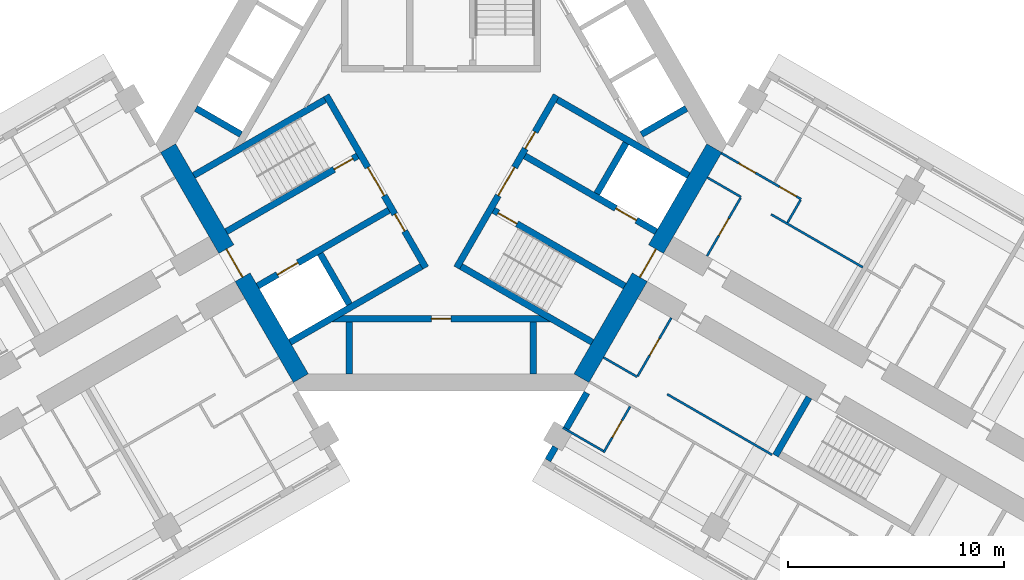
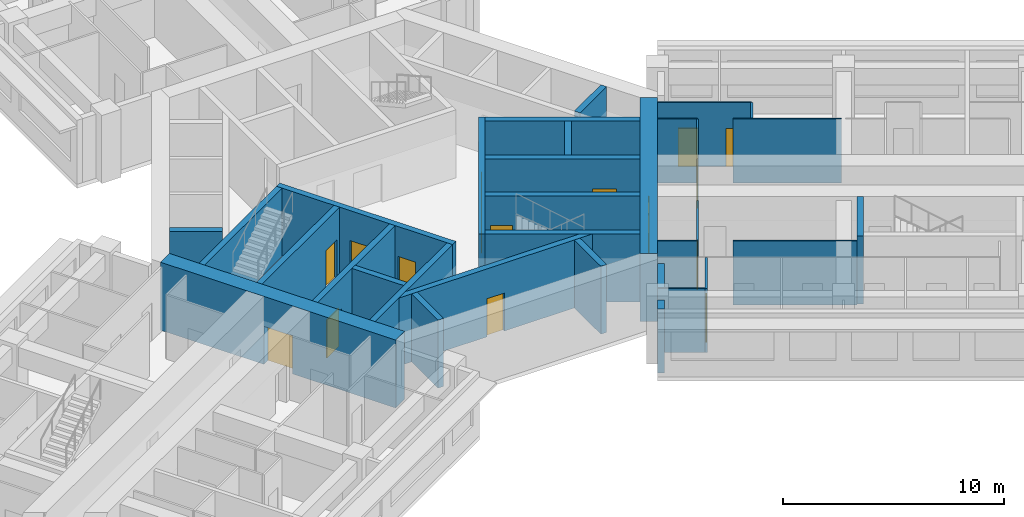
# One storey, part 7 of 15: 32 walls, 16 doors, 16 openings.
"""IFC4 building model written with IfcOpenShell, lengths in metres."""

import ifcopenshell
import ifcopenshell.guid

model = None  # the IFC model being written
_history = None  # IfcOwnerHistory: only IFC2X3 demands one
_inside = {}  # id of a spatial element -> (the spatial element, [elements in it])
_under = {}  # id of a project, library or spatial element -> (it, [spatial elements below it])
_declared = {}  # id of a project -> (the project, [libraries it declares])
_typed = {}  # id of a type object -> (the type object, [elements of that type])
_made_of = {}  # id of a material, layer set ... -> (it, [elements and type objects made of it])


def new_model(schema):
    """Start an empty IFC model of exactly this schema.

    Asked for "IFC4X3", IfcOpenShell would pick the latest addendum, in which some entities
    have other attributes; the version numbers below select the first issue.
    IFC2X3 requires an IfcOwnerHistory on every rooted entity: one is made here for all.
    """
    global model, _history
    if schema == "IFC4X3":
        model = ifcopenshell.file(schema_version=(4, 3, 0, 0))
    else:
        model = ifcopenshell.file(schema=schema)
    _inside.clear()
    _under.clear()
    _declared.clear()
    _typed.clear()
    _made_of.clear()
    _history = None
    if model.schema == "IFC2X3":
        org = make("IfcOrganization", Name="unknown")
        user = make(
            "IfcPersonAndOrganization",
            ThePerson=make("IfcPerson", FamilyName="unknown"),
            TheOrganization=org,
        )
        app = make(
            "IfcApplication",
            ApplicationDeveloper=org,
            Version="unknown",
            ApplicationFullName="unknown",
            ApplicationIdentifier="unknown",
        )
        _history = make(
            "IfcOwnerHistory",
            OwningUser=user,
            OwningApplication=app,
            ChangeAction="ADDED",
            CreationDate=0,
        )
    return model


def make(cls, **values):
    """One entity of the class cls with the attributes given. An attribute that is None is left unset."""
    return model.create_entity(
        cls, **{name: value for name, value in values.items() if value is not None}
    )


def rooted(cls, **values):
    """An entity with a GlobalId (a new one), such as an element, a storey or a relation."""
    return make(cls, GlobalId=ifcopenshell.guid.new(), OwnerHistory=_history, **values)


def si_unit(unit_type, name, prefix=None):
    """IfcSIUnit, for example si_unit("LENGTHUNIT", "METRE", prefix="MILLI")."""
    return make("IfcSIUnit", UnitType=unit_type, Prefix=prefix, Name=name)


def assignment(units):
    """IfcUnitAssignment: the units of a project."""
    return None if units is None else make("IfcUnitAssignment", Units=units)


def point(xyz):
    """IfcCartesianPoint."""
    return None if xyz is None else make("IfcCartesianPoint", Coordinates=xyz)


def direction(xyz):
    """IfcDirection."""
    return None if xyz is None else make("IfcDirection", DirectionRatios=xyz)


def frame(location, z_axis=None, x_axis=None):
    """IfcAxis2Placement3D, a coordinate frame: its origin and axes. An axis left out is left unset."""
    return make(
        "IfcAxis2Placement3D",
        Location=point(location),
        Axis=direction(z_axis),
        RefDirection=direction(x_axis),
    )


def frame_2d(location, x_axis=None):
    """IfcAxis2Placement2D, a coordinate frame in the plane: its origin and x axis."""
    return make(
        "IfcAxis2Placement2D", Location=point(location), RefDirection=direction(x_axis)
    )


def origin():
    """The frame at (0, 0, 0) with its axes left unset."""
    return frame((0.0, 0.0, 0.0))


def place(relative_to, where):
    """IfcLocalPlacement: puts the frame where relative to a parent placement (None: the world)."""
    return make(
        "IfcLocalPlacement", PlacementRelTo=relative_to, RelativePlacement=where
    )


def context(
    kind, dimensions, precision=None, world=None, true_north=None, identifier=None
):
    """IfcGeometricRepresentationContext, for example the 3D "Model" context."""
    return make(
        "IfcGeometricRepresentationContext",
        ContextIdentifier=identifier,
        ContextType=kind,
        CoordinateSpaceDimension=dimensions,
        Precision=precision,
        WorldCoordinateSystem=world,
        TrueNorth=true_north,
    )


def subcontext(parent, identifier, kind, view, scale=None):
    """IfcGeometricRepresentationSubContext, for example "Body" below "Model"."""
    return make(
        "IfcGeometricRepresentationSubContext",
        ContextIdentifier=identifier,
        ContextType=kind,
        ParentContext=parent,
        TargetScale=scale,
        TargetView=view,
    )


def project(units=None, contexts=None):
    """IfcProject with its units and contexts."""
    return rooted(
        "IfcProject",
        Name="project",
        RepresentationContexts=contexts,
        UnitsInContext=assignment(units),
    )


def spatial(cls, under=None, at=None, **own):
    """A site, building, storey or space (cls), placed at a placement, below another one or the project."""
    s = rooted(cls, ObjectPlacement=at, **own)
    if under is not None:
        _under.setdefault(under.id(), (under, []))[1].append(s)
    return s


def profile(cls, at=None, kind="AREA", **sizes):
    """A parametric profile (cls). Its sizes go by their IFC names, for example OverallWidth=200.0."""
    return make(cls, ProfileType=kind, Position=at, **sizes)


def rectangle(**sizes):
    """IfcRectangleProfileDef."""
    return profile("IfcRectangleProfileDef", **sizes)


def extrude(swept, where, along, depth):
    """IfcExtrudedAreaSolid: the profile swept, set in the frame where, extruded along a direction by depth."""
    return make(
        "IfcExtrudedAreaSolid",
        SweptArea=swept,
        Position=where,
        ExtrudedDirection=direction(along),
        Depth=depth,
    )


def shape(context_of_items, identifier, shape_type, items):
    """IfcShapeRepresentation: the items that make up one representation, for example the "Body"."""
    return make(
        "IfcShapeRepresentation",
        ContextOfItems=context_of_items,
        RepresentationIdentifier=identifier,
        RepresentationType=shape_type,
        Items=items,
    )


def material(Name=None, Category=None):
    """IfcMaterial."""
    return make("IfcMaterial", Name=Name, Category=Category)


def layer(
    of_material, thickness, ventilated=None, Name=None, Category=None, Priority=None
):
    """IfcMaterialLayer: one layer of a wall or slab, of a material (None: an air gap)."""
    return make(
        "IfcMaterialLayer",
        Material=of_material,
        LayerThickness=thickness,
        IsVentilated=ventilated,
        Name=Name,
        Category=Category,
        Priority=Priority,
    )


def layer_set(layers, Name=None):
    """IfcMaterialLayerSet."""
    return make("IfcMaterialLayerSet", MaterialLayers=layers, LayerSetName=Name)


def made_of(thing, what):
    """Note that an element or type object is made of a material, layer set ...; save() writes the relation."""
    if what is not None:
        _made_of.setdefault(what.id(), (what, []))[1].append(thing)
    return thing


def type_object(cls, material=None, **own):
    """A type object (cls), such as IfcWallType, which elements share."""
    return made_of(rooted(cls, **own), material)


def element(
    cls,
    number,
    at=None,
    inside=None,
    cuts=None,
    type_object=None,
    material=None,
    context=None,
    identifier="Body",
    shape_type=None,
    held_by="IfcProductDefinitionShape",
    body=None,
    shapes=None,
    **own,
):
    """One element of the class cls, such as IfcWall. Its Tag is "e" and its number.

    at: its placement. inside: the storey or other place that contains it. cuts: it is an
    opening in that element (IfcRelVoidsElement). A single representation is given by context,
    identifier, shape_type and body (its items); several are given by shapes. held_by: the class
    of the entity that holds the representations. save() writes the other relations.
    """
    e = rooted(cls, Tag="e%d" % number, ObjectPlacement=at, **own)
    if body is not None:
        shapes = [shape(context, identifier, shape_type, body)]
    if shapes is not None:
        e.Representation = make(held_by, Representations=shapes)
    if inside is not None:
        _inside.setdefault(inside.id(), (inside, []))[1].append(e)
    if cuts is not None:
        rooted(
            "IfcRelVoidsElement", RelatingBuildingElement=cuts, RelatedOpeningElement=e
        )
    if type_object is not None:
        _typed.setdefault(type_object.id(), (type_object, []))[1].append(e)
    return made_of(e, material)


def fill(opening, filler):
    """IfcRelFillsElement: the door or window that sits in an opening."""
    return rooted(
        "IfcRelFillsElement",
        RelatingOpeningElement=opening,
        RelatedBuildingElement=filler,
    )


def aggregate(whole, parts):
    """IfcRelAggregates: a whole, such as a stair, and the parts it consists of."""
    return rooted("IfcRelAggregates", RelatingObject=whole, RelatedObjects=parts)


def save(model, path):
    """Write the relations noted so far, then the file.

    IfcRelAggregates (storeys below a building ...), IfcRelContainedInSpatialStructure (elements
    in a storey), IfcRelDefinesByType, IfcRelAssociatesMaterial and IfcRelDeclares: one each for
    every whole, place, type object, material and project.
    """
    for whole, parts in _under.values():
        aggregate(whole, parts)
    for where, things in _inside.values():
        rooted(
            "IfcRelContainedInSpatialStructure",
            RelatedElements=things,
            RelatingStructure=where,
        )
    for kind, things in _typed.values():
        rooted("IfcRelDefinesByType", RelatedObjects=things, RelatingType=kind)
    for what, things in _made_of.values():
        rooted("IfcRelAssociatesMaterial", RelatedObjects=things, RelatingMaterial=what)
    for by, libraries in _declared.values():
        rooted("IfcRelDeclares", RelatingContext=by, RelatedDefinitions=libraries)
    model.write(path)


model = new_model("IFC4")

# Units and contexts
model_context = context("Model", 3, precision=1e-05, world=origin(), true_north=direction((0.0, 1.0)))
body_context = subcontext(model_context, "Body", "Model", "MODEL_VIEW")
ifc_project = project(units=[si_unit("LENGTHUNIT", "METRE"), si_unit("AREAUNIT", "SQUARE_METRE"), si_unit("VOLUMEUNIT", "CUBIC_METRE"), si_unit("PLANEANGLEUNIT", "RADIAN"), si_unit("MASSUNIT", "GRAM", prefix="KILO")], contexts=[model_context])

# Site, building, storey
site_placement = place(None, origin())
site = spatial("IfcSite", under=ifc_project, at=site_placement, CompositionType="ELEMENT")
building_placement = place(site_placement, origin())
building = spatial("IfcBuilding", under=site, at=building_placement, Name="Impinga Residences", CompositionType="ELEMENT")
storey_placement = place(building_placement, frame((0.0, 0.0, 109.75)))
storey = spatial("IfcBuildingStorey", under=building, at=storey_placement, Name="L26", CompositionType="ELEMENT", Elevation=109.75)

# Walls
ifc_material_1 = material(Name="Terracotta rainscreen on blockwork", Category="masonry")
ifc_layer_1 = layer(ifc_material_1, 0.300048828125)
ifc_layer_set_1 = layer_set([ifc_layer_1], Name="EW1 external wall, terracotta rainscreen on blockwork 300")
wall_type_1 = type_object("IfcWallType", Name="EW1 external wall, terracotta rainscreen on blockwork 300", PredefinedType="SOLIDWALL", material=ifc_layer_set_1)
wall_1_placement = place(storey_placement, frame((4.929931640625, -14.624267578125, 0.0), z_axis=(0.0, 0.0, 1.0), x_axis=(0.499853302173, 0.866110083249, 0.0)))
element("IfcWall", 1, at=wall_1_placement, inside=storey, type_object=wall_type_1, Name="External wall EW1 L26", PredefinedType="SOLIDWALL", context=body_context, shape_type="SweptSolid", body=[
    extrude(rectangle(XDim=0.699951171875, YDim=0.300048828125, at=frame_2d((0.35009765625, 0.0))), origin(), (0.0, 0.0, 1.0), 3.530029296875),
])
wall_2_placement = place(storey_placement, frame((5.77978515625, -13.152099609375, 0.0), z_axis=(0.0, 0.0, 1.0), x_axis=(0.500063520245, 0.865988727248, 0.0)))
element("IfcWall", 2, at=wall_2_placement, inside=storey, type_object=wall_type_1, Name="External wall EW1 L26", PredefinedType="SOLIDWALL", context=body_context, shape_type="SweptSolid", body=[
    extrude(rectangle(XDim=1.900146484375, YDim=0.300048828125, at=frame_2d((0.9501953125, 0.0))), origin(), (0.0, 0.0, 1.0), 3.530029296875),
])
ifc_material_2 = material(Name="Gypsum board on steel studs", Category="steel")
ifc_layer_2 = layer(ifc_material_2, 0.10009765625)
ifc_layer_set_2 = layer_set([ifc_layer_2], Name="Gypsum board on steel studs")
wall_type_2 = type_object("IfcWallType", Name="IP1 partition 100", PredefinedType="PARTITIONING", material=ifc_layer_set_2)
wall_3_placement = place(storey_placement, frame((12.300048828125, -1.558837890625, 0.0), z_axis=(0.0, 0.0, 1.0), x_axis=(0.866047807691, -0.499961193289, 0.0)))
element("IfcWall", 3, at=wall_3_placement, inside=storey, type_object=wall_type_2, Name="Partition L26-EA1:DIV0", PredefinedType="PARTITIONING", context=body_context, shape_type="SweptSolid", body=[
    extrude(rectangle(XDim=1.800048828125, YDim=0.10009765625, at=frame_2d((0.89990234375, 0.0))), origin(), (0.0, 0.0, 1.0), 3.530029296875),
])
wall_4_placement = place(storey_placement, frame((15.244384765625, -3.2587890625, 0.0), z_axis=(0.0, 0.0, 1.0), x_axis=(0.866036242063, -0.49998122708, 0.0)))
element("IfcWall", 4, at=wall_4_placement, inside=storey, type_object=wall_type_2, Name="Partition L26-EA1:DIV1", PredefinedType="PARTITIONING", context=body_context, shape_type="SweptSolid", body=[
    extrude(rectangle(XDim=4.900146484375, YDim=0.10009765625, at=frame_2d((2.4501953125, 0.0))), origin(), (0.0, 0.0, 1.0), 3.530029296875),
])

# Wall, openings, doors
wall_5_placement = place(storey_placement, frame((12.949951171875, -0.43310546875, 0.0), z_axis=(0.0, 0.0, 1.0), x_axis=(0.866028703517, -0.499994284652, 0.0)))
wall_5 = element("IfcWall", 5, at=wall_5_placement, inside=storey, type_object=wall_type_2, Name="Partition L26-EA1:STRIP", PredefinedType="PARTITIONING", context=body_context, shape_type="SweptSolid", body=[
    extrude(rectangle(XDim=4.25, YDim=0.10009765625, at=frame_2d((2.125, 0.0))), origin(), (0.0, 0.0, 1.0), 3.530029296875),
])
opening_1_placement = place(wall_5_placement, frame((0.925048828125, 0.0, 0.0)))
opening_1 = element("IfcOpeningElement", 6, at=opening_1_placement, cuts=wall_5, Name="Opening D2", PredefinedType="OPENING", context=body_context, shape_type="SweptSolid", body=[
    extrude(rectangle(XDim=0.89990234375, YDim=2.10009765625, at=frame_2d((0.449951171875, 1.050048828125))), frame((0.0, 0.06005859375, 0.0), z_axis=(0.0, -1.0, 0.0), x_axis=(1.0, 0.0, 0.0)), (0.0, 0.0, 1.0), 0.1201171875),
])
opening_2_placement = place(wall_5_placement, frame((3.10009765625, 0.0, 0.0)))
opening_2 = element("IfcOpeningElement", 7, at=opening_2_placement, cuts=wall_5, Name="Opening D2", PredefinedType="OPENING", context=body_context, shape_type="SweptSolid", body=[
    extrude(rectangle(XDim=0.89990234375, YDim=2.10009765625, at=frame_2d((0.449951171875, 1.050048828125))), frame((0.0, 0.06005859375, 0.0), z_axis=(0.0, -1.0, 0.0), x_axis=(1.0, 0.0, 0.0)), (0.0, 0.0, 1.0), 0.1201171875),
])
ifc_material_3 = material(Name="Timber door set", Category="wood")
door_type_1 = type_object("IfcDoorType", Name="D2 internal door 900x2100", OperationType="SINGLE_SWING_LEFT", PredefinedType="DOOR", material=ifc_material_3)
door_1_placement = place(opening_1_placement, origin())
door_1 = element("IfcDoor", 8, at=door_1_placement, inside=storey, type_object=door_type_1, Name="Apartment L26-EA1 room door", OperationType="SINGLE_SWING_LEFT", OverallHeight=2.10009765625, OverallWidth=0.89990234375, PredefinedType="DOOR", context=body_context, shape_type="SweptSolid", body=[
    extrude(rectangle(XDim=0.89990234375, YDim=2.10009765625, at=frame_2d((0.449951171875, 1.050048828125))), frame((0.0, 0.02490234375, 0.0), z_axis=(0.0, -1.0, 0.0), x_axis=(1.0, 0.0, 0.0)), (0.0, 0.0, 1.0), 0.050048828125),
])
fill(opening_1, door_1)
door_2_placement = place(opening_2_placement, origin())
door_2 = element("IfcDoor", 9, at=door_2_placement, inside=storey, type_object=door_type_1, Name="Apartment L26-EA1 room door", OperationType="SINGLE_SWING_RIGHT", OverallHeight=2.10009765625, OverallWidth=0.89990234375, PredefinedType="DOOR", context=body_context, shape_type="SweptSolid", body=[
    extrude(rectangle(XDim=0.89990234375, YDim=2.10009765625, at=frame_2d((0.449951171875, 1.050048828125))), frame((0.0, 0.02490234375, 0.0), z_axis=(0.0, -1.0, 0.0), x_axis=(1.0, 0.0, 0.0)), (0.0, 0.0, 1.0), 0.050048828125),
])
fill(opening_2, door_2)

# Wall
wall_6_placement = place(storey_placement, frame((16.005615234375, -3.640625, 0.0), z_axis=(0.0, 0.0, 1.0), x_axis=(0.500033551112, 0.866006032174, 0.0)))
element("IfcWall", 10, at=wall_6_placement, inside=storey, type_object=wall_type_2, Name="Partition L26-EA1:SE1", PredefinedType="PARTITIONING", context=body_context, shape_type="SweptSolid", body=[
    extrude(rectangle(XDim=1.2001953125, YDim=0.10009765625, at=frame_2d((0.60009765625, 0.0))), origin(), (0.0, 0.0, 1.0), 3.530029296875),
])

# Wall, opening, door
wall_7_placement = place(storey_placement, frame((12.283935546875, -5.186767578125, 0.0), z_axis=(0.0, 0.0, 1.0), x_axis=(0.499967891604, 0.866043940782, 0.0)))
wall_7 = element("IfcWall", 11, at=wall_7_placement, inside=storey, type_object=wall_type_2, Name="Partition L26-EA1:IB1", PredefinedType="PARTITIONING", context=body_context, shape_type="SweptSolid", body=[
    extrude(rectangle(XDim=3.099853515625, YDim=0.10009765625, at=frame_2d((1.5498046875, 0.0))), origin(), (0.0, 0.0, 1.0), 3.530029296875),
])
opening_3_placement = place(wall_7_placement, frame((1.10009765625, 0.0, 0.0)))
opening_3 = element("IfcOpeningElement", 12, at=opening_3_placement, cuts=wall_7, Name="Opening D2", PredefinedType="OPENING", context=body_context, shape_type="SweptSolid", body=[
    extrude(rectangle(XDim=0.89990234375, YDim=2.10009765625, at=frame_2d((0.449951171875, 1.050048828125))), frame((0.0, 0.06005859375, 0.0), z_axis=(0.0, -1.0, 0.0), x_axis=(1.0, 0.0, 0.0)), (0.0, 0.0, 1.0), 0.1201171875),
])
door_3_placement = place(opening_3_placement, origin())
door_3 = element("IfcDoor", 13, at=door_3_placement, inside=storey, type_object=door_type_1, Name="Apartment L26-EA1 bathroom door", OperationType="SINGLE_SWING_LEFT", OverallHeight=2.10009765625, OverallWidth=0.89990234375, PredefinedType="DOOR", context=body_context, shape_type="SweptSolid", body=[
    extrude(rectangle(XDim=0.89990234375, YDim=2.10009765625, at=frame_2d((0.449951171875, 1.050048828125))), frame((0.0, 0.02490234375, 0.0), z_axis=(0.0, -1.0, 0.0), x_axis=(1.0, 0.0, 0.0)), (0.0, 0.0, 1.0), 0.050048828125),
])
fill(opening_3, door_3)

# Walls
wall_8_placement = place(storey_placement, frame((7.5, -9.872802734375, 0.0), z_axis=(0.0, 0.0, 1.0), x_axis=(0.866047807691, -0.499961193289, 0.0)))
element("IfcWall", 14, at=wall_8_placement, inside=storey, type_object=wall_type_2, Name="Partition L26-EF1:DIV0", PredefinedType="PARTITIONING", context=body_context, shape_type="SweptSolid", body=[
    extrude(rectangle(XDim=1.800048828125, YDim=0.10009765625, at=frame_2d((0.89990234375, 0.0))), origin(), (0.0, 0.0, 1.0), 3.530029296875),
])
wall_9_placement = place(storey_placement, frame((10.444580078125, -11.57275390625, 0.0), z_axis=(0.0, 0.0, 1.0), x_axis=(0.866015695474, -0.500016814911, 0.0)))
element("IfcWall", 15, at=wall_9_placement, inside=storey, type_object=wall_type_2, Name="Partition L26-EF1:DIV1", PredefinedType="PARTITIONING", context=body_context, shape_type="SweptSolid", body=[
    extrude(rectangle(XDim=5.599853515625, YDim=0.10009765625, at=frame_2d((2.7998046875, 0.0))), origin(), (0.0, 0.0, 1.0), 3.530029296875),
])

# Wall, opening, door
wall_10_placement = place(storey_placement, frame((10.6337890625, -8.044677734375, 0.0), z_axis=(0.0, 0.0, 1.0), x_axis=(-0.49999285859, -0.86602952684, 0.0)))
wall_10 = element("IfcWall", 16, at=wall_10_placement, inside=storey, type_object=wall_type_2, Name="Partition L26-EF1:IB1", PredefinedType="PARTITIONING", context=body_context, shape_type="SweptSolid", body=[
    extrude(rectangle(XDim=3.10009765625, YDim=0.10009765625, at=frame_2d((1.550048828125, 0.0))), origin(), (0.0, 0.0, 1.0), 3.530029296875),
])
opening_4_placement = place(wall_10_placement, frame((1.10009765625, 0.0, 0.0)))
opening_4 = element("IfcOpeningElement", 17, at=opening_4_placement, cuts=wall_10, Name="Opening D2", PredefinedType="OPENING", context=body_context, shape_type="SweptSolid", body=[
    extrude(rectangle(XDim=0.89990234375, YDim=2.10009765625, at=frame_2d((0.449951171875, 1.050048828125))), frame((0.0, 0.06005859375, 0.0), z_axis=(0.0, -1.0, 0.0), x_axis=(1.0, 0.0, 0.0)), (0.0, 0.0, 1.0), 0.1201171875),
])
door_4_placement = place(opening_4_placement, origin())
door_4 = element("IfcDoor", 18, at=door_4_placement, inside=storey, type_object=door_type_1, Name="Apartment L26-EF1 bathroom door", OperationType="SINGLE_SWING_LEFT", OverallHeight=2.10009765625, OverallWidth=0.89990234375, PredefinedType="DOOR", context=body_context, shape_type="SweptSolid", body=[
    extrude(rectangle(XDim=0.89990234375, YDim=2.10009765625, at=frame_2d((0.449951171875, 1.050048828125))), frame((0.0, 0.02490234375, 0.0), z_axis=(0.0, -1.0, 0.0), x_axis=(1.0, 0.0, 0.0)), (0.0, 0.0, 1.0), 0.050048828125),
])
fill(opening_4, door_4)

wall_11_placement = place(storey_placement, frame((8.730224609375, -12.141845703125, 0.0), z_axis=(0.0, 0.0, 1.0), x_axis=(-0.499943856944, -0.866057815567, 0.0)))
wall_11 = element("IfcWall", 19, at=wall_11_placement, inside=storey, type_object=wall_type_2, Name="Partition L26-EF1:EN1", PredefinedType="PARTITIONING", context=body_context, shape_type="SweptSolid", body=[
    extrude(rectangle(XDim=2.449951171875, YDim=0.10009765625, at=frame_2d((1.22509765625, 0.0))), origin(), (0.0, 0.0, 1.0), 3.530029296875),
])
opening_5_placement = place(wall_11_placement, frame((0.75, 0.0, 0.0)))
opening_5 = element("IfcOpeningElement", 20, at=opening_5_placement, cuts=wall_11, Name="Opening D2", PredefinedType="OPENING", context=body_context, shape_type="SweptSolid", body=[
    extrude(rectangle(XDim=0.89990234375, YDim=2.10009765625, at=frame_2d((0.449951171875, 1.050048828125))), frame((0.0, 0.06005859375, 0.0), z_axis=(0.0, -1.0, 0.0), x_axis=(1.0, 0.0, 0.0)), (0.0, 0.0, 1.0), 0.1201171875),
])
door_5_placement = place(opening_5_placement, origin())
door_5 = element("IfcDoor", 21, at=door_5_placement, inside=storey, type_object=door_type_1, Name="Apartment L26-EF1 en-suite door", OperationType="SINGLE_SWING_LEFT", OverallHeight=2.10009765625, OverallWidth=0.89990234375, PredefinedType="DOOR", context=body_context, shape_type="SweptSolid", body=[
    extrude(rectangle(XDim=0.89990234375, YDim=2.10009765625, at=frame_2d((0.449951171875, 1.050048828125))), frame((0.0, 0.02490234375, 0.0), z_axis=(0.0, -1.0, 0.0), x_axis=(1.0, 0.0, 0.0)), (0.0, 0.0, 1.0), 0.050048828125),
])
fill(opening_5, door_5)

# Walls
wall_12_placement = place(storey_placement, frame((5.625, -13.120361328125, 0.0), z_axis=(0.0, 0.0, 1.0), x_axis=(0.866047553582, -0.499961633463, 0.0)))
element("IfcWall", 22, at=wall_12_placement, inside=storey, type_object=wall_type_2, Name="Partition L26-EF1:EN2", PredefinedType="PARTITIONING", context=body_context, shape_type="SweptSolid", body=[
    extrude(rectangle(XDim=2.150146484375, YDim=0.10009765625, at=frame_2d((1.0751953125, 0.0))), origin(), (0.0, 0.0, 1.0), 3.530029296875),
])
ifc_material_4 = material(Name="Concrete C60/75", Category="concrete")
ifc_layer_3 = layer(ifc_material_4, 0.300048828125)
ifc_layer_set_3 = layer_set([ifc_layer_3], Name="Concrete C60/75")
wall_type_3 = type_object("IfcWallType", Name="SE1 wing stair enclosure wall 300", PredefinedType="SOLIDWALL", material=ifc_layer_set_3)
wall_13_placement = place(storey_placement, frame((16.9990234375, -11.7197265625, 0.0), z_axis=(0.0, 0.0, 1.0), x_axis=(-0.499967891604, -0.866043940782, 0.0)))
element("IfcWall", 23, at=wall_13_placement, inside=storey, type_object=wall_type_3, Name="Stair enclosure wall SE1 E END0 L26", PredefinedType="SOLIDWALL", context=body_context, shape_type="SweptSolid", body=[
    extrude(rectangle(XDim=3.099853515625, YDim=0.300048828125, at=frame_2d((1.5498046875, 0.0))), origin(), (0.0, 0.0, 1.0), 3.75),
])

# Wall, opening, door
ifc_layer_4 = layer(ifc_material_4, 0.800048828125)
ifc_layer_set_4 = layer_set([ifc_layer_4], Name="Concrete C60/75")
wall_type_4 = type_object("IfcWallType", Name="SW2 core wall 800", PredefinedType="SHEAR", material=ifc_layer_set_4)
wall_14_placement = place(storey_placement, frame((-6.484619140625, -10.83154296875, 0.0), z_axis=(0.0, 0.0, 1.0), x_axis=(-0.499986991068, 0.866032914365, 0.0)))
wall_14 = element("IfcWall", 24, at=wall_14_placement, inside=storey, type_object=wall_type_4, Name="Core wall SW2 W:FACE L26", PredefinedType="SHEAR", context=body_context, shape_type="SweptSolid", body=[
    extrude(rectangle(XDim=12.276123046875, YDim=0.800048828125, at=frame_2d((6.13818359375, 0.0))), origin(), (0.0, 0.0, 1.0), 3.75),
])
opening_6_placement = place(wall_14_placement, frame((5.38818359375, 0.0, 0.0)))
opening_6 = element("IfcOpeningElement", 25, at=opening_6_placement, cuts=wall_14, Name="Opening D4", PredefinedType="OPENING", context=body_context, shape_type="SweptSolid", body=[
    extrude(rectangle(XDim=1.5, YDim=2.10009765625, at=frame_2d((0.75, 1.050048828125))), frame((0.0, 0.409912109375, 0.0), z_axis=(0.0, -1.0, 0.0), x_axis=(1.0, 0.0, 0.0)), (0.0, 0.0, 1.0), 0.820068359375),
])
door_type_2 = type_object("IfcDoorType", Name="D4 lobby door pair 1500x2100", OperationType="DOUBLE_DOOR_DOUBLE_SWING", PredefinedType="DOOR", material=ifc_material_3)
door_6_placement = place(opening_6_placement, origin())
door_6 = element("IfcDoor", 26, at=door_6_placement, inside=storey, type_object=door_type_2, Name="Lobby door W", OperationType="DOUBLE_DOOR_DOUBLE_SWING", OverallHeight=2.10009765625, OverallWidth=1.5, PredefinedType="DOOR", context=body_context, shape_type="SweptSolid", body=[
    extrude(rectangle(XDim=1.5, YDim=2.10009765625, at=frame_2d((0.75, 1.050048828125))), frame((0.0, 0.02490234375, 0.0), z_axis=(0.0, -1.0, 0.0), x_axis=(1.0, 0.0, 0.0)), (0.0, 0.0, 1.0), 0.050048828125),
])
fill(opening_6, door_6)

wall_15_placement = place(storey_placement, frame((12.62255859375, -0.199951171875, 0.0), z_axis=(0.0, 0.0, 1.0), x_axis=(-0.499986991068, -0.866032914365, 0.0)))
wall_15 = element("IfcWall", 27, at=wall_15_placement, inside=storey, type_object=wall_type_4, Name="Core wall SW2 E:FACE L26", PredefinedType="SHEAR", context=body_context, shape_type="SweptSolid", body=[
    extrude(rectangle(XDim=12.276123046875, YDim=0.800048828125, at=frame_2d((6.13818359375, 0.0))), origin(), (0.0, 0.0, 1.0), 3.75),
])
opening_7_placement = place(wall_15_placement, frame((5.38818359375, 0.0, 0.0)))
opening_7 = element("IfcOpeningElement", 28, at=opening_7_placement, cuts=wall_15, Name="Opening D4", PredefinedType="OPENING", context=body_context, shape_type="SweptSolid", body=[
    extrude(rectangle(XDim=1.5, YDim=2.10009765625, at=frame_2d((0.75, 1.050048828125))), frame((0.0, 0.409912109375, 0.0), z_axis=(0.0, -1.0, 0.0), x_axis=(1.0, 0.0, 0.0)), (0.0, 0.0, 1.0), 0.820068359375),
])
door_7_placement = place(opening_7_placement, origin())
door_7 = element("IfcDoor", 29, at=door_7_placement, inside=storey, type_object=door_type_2, Name="Lobby door E", OperationType="DOUBLE_DOOR_DOUBLE_SWING", OverallHeight=2.10009765625, OverallWidth=1.5, PredefinedType="DOOR", context=body_context, shape_type="SweptSolid", body=[
    extrude(rectangle(XDim=1.5, YDim=2.10009765625, at=frame_2d((0.75, 1.050048828125))), frame((0.0, 0.02490234375, 0.0), z_axis=(0.0, -1.0, 0.0), x_axis=(1.0, 0.0, 0.0)), (0.0, 0.0, 1.0), 0.050048828125),
])
fill(opening_7, door_7)

# Wall, openings, doors
ifc_material_5 = material(Name="Concrete C70/85", Category="concrete")
ifc_layer_5 = layer(ifc_material_5, 0.300048828125)
ifc_layer_set_5 = layer_set([ifc_layer_5], Name="Concrete C70/85")
wall_type_5 = type_object("IfcWallType", Name="SW5 core inner wall, stairs, shafts and lobbies 300", PredefinedType="SHEAR", material=ifc_layer_set_5)
wall_16_placement = place(storey_placement, frame((-0.7138671875, -5.7236328125, 0.0), z_axis=(0.0, 0.0, 1.0), x_axis=(-0.499995050369, 0.866028261437, 0.0)))
wall_16 = element("IfcWall", 30, at=wall_16_placement, inside=storey, type_object=wall_type_5, Name="Core wall SW5 W:ZONE L26", PredefinedType="SHEAR", context=body_context, shape_type="SweptSolid", body=[
    extrude(rectangle(XDim=9.19970703125, YDim=0.300048828125, at=frame_2d((4.599853515625, 0.0))), origin(), (0.0, 0.0, 1.0), 3.75),
])
opening_8_placement = place(wall_16_placement, frame((3.85009765625, 0.0, 0.0)))
opening_8 = element("IfcOpeningElement", 31, at=opening_8_placement, cuts=wall_16, Name="Opening D4", PredefinedType="OPENING", context=body_context, shape_type="SweptSolid", body=[
    extrude(rectangle(XDim=1.5, YDim=2.10009765625, at=frame_2d((0.75, 1.050048828125))), frame((0.0, 0.159912109375, 0.0), z_axis=(0.0, -1.0, 0.0), x_axis=(1.0, 0.0, 0.0)), (0.0, 0.0, 1.0), 0.320068359375),
])
opening_9_placement = place(wall_16_placement, frame((1.949951171875, 0.0, 0.0)))
opening_9 = element("IfcOpeningElement", 32, at=opening_9_placement, cuts=wall_16, Name="Opening D6", PredefinedType="OPENING", context=body_context, shape_type="SweptSolid", body=[
    extrude(rectangle(XDim=0.89990234375, YDim=2.10009765625, at=frame_2d((0.449951171875, 1.050048828125))), frame((0.0, 0.159912109375, 0.0), z_axis=(0.0, -1.0, 0.0), x_axis=(1.0, 0.0, 0.0)), (0.0, 0.0, 1.0), 0.320068359375),
])
door_8_placement = place(opening_8_placement, origin())
door_8 = element("IfcDoor", 33, at=door_8_placement, inside=storey, type_object=door_type_2, Name="Firefighting lobby door W", OperationType="DOUBLE_DOOR_DOUBLE_SWING", OverallHeight=2.10009765625, OverallWidth=1.5, PredefinedType="DOOR", context=body_context, shape_type="SweptSolid", body=[
    extrude(rectangle(XDim=1.5, YDim=2.10009765625, at=frame_2d((0.75, 1.050048828125))), frame((0.0, 0.02490234375, 0.0), z_axis=(0.0, -1.0, 0.0), x_axis=(1.0, 0.0, 0.0)), (0.0, 0.0, 1.0), 0.050048828125),
])
fill(opening_8, door_8)
door_type_3 = type_object("IfcDoorType", Name="D6 riser and store door 900x2100", OperationType="SINGLE_SWING_LEFT", PredefinedType="DOOR", material=ifc_material_3)
door_9_placement = place(opening_9_placement, origin())
door_9 = element("IfcDoor", 34, at=door_9_placement, inside=storey, type_object=door_type_3, Name="Riser door W", OperationType="SINGLE_SWING_LEFT", OverallHeight=2.10009765625, OverallWidth=0.89990234375, PredefinedType="DOOR", context=body_context, shape_type="SweptSolid", body=[
    extrude(rectangle(XDim=0.89990234375, YDim=2.10009765625, at=frame_2d((0.449951171875, 1.050048828125))), frame((0.0, 0.02490234375, 0.0), z_axis=(0.0, -1.0, 0.0), x_axis=(1.0, 0.0, 0.0)), (0.0, 0.0, 1.0), 0.050048828125),
])
fill(opening_9, door_9)

# Wall, opening, door
wall_17_placement = place(storey_placement, frame((-3.86865234375, -0.559326171875, 0.0), z_axis=(0.0, 0.0, 1.0), x_axis=(-0.866026480128, -0.499998135713, 0.0)))
wall_17 = element("IfcWall", 35, at=wall_17_placement, inside=storey, type_object=wall_type_5, Name="Core wall SW5 W:ST-IN L26", PredefinedType="SHEAR", context=body_context, shape_type="SweptSolid", body=[
    extrude(rectangle(XDim=7.00146484375, YDim=0.300048828125, at=frame_2d((3.500732421875, 0.0))), origin(), (0.0, 0.0, 1.0), 3.75),
])
opening_10_placement = place(wall_17_placement, frame((0.25, 0.0, 0.0)))
opening_10 = element("IfcOpeningElement", 36, at=opening_10_placement, cuts=wall_17, Name="Opening D5", PredefinedType="OPENING", context=body_context, shape_type="SweptSolid", body=[
    extrude(rectangle(XDim=1.0, YDim=2.10009765625, at=frame_2d((0.5, 1.050048828125))), frame((0.0, 0.159912109375, 0.0), z_axis=(0.0, -1.0, 0.0), x_axis=(1.0, 0.0, 0.0)), (0.0, 0.0, 1.0), 0.320068359375),
])
door_type_4 = type_object("IfcDoorType", Name="D5 stair door 1000x2100", OperationType="SINGLE_SWING_LEFT", PredefinedType="DOOR", material=ifc_material_3)
door_10_placement = place(opening_10_placement, origin())
door_10 = element("IfcDoor", 37, at=door_10_placement, inside=storey, type_object=door_type_4, Name="Stair door W", OperationType="SINGLE_SWING_LEFT", OverallHeight=2.10009765625, OverallWidth=1.0, PredefinedType="DOOR", context=body_context, shape_type="SweptSolid", body=[
    extrude(rectangle(XDim=1.0, YDim=2.10009765625, at=frame_2d((0.5, 1.050048828125))), frame((0.0, 0.02490234375, 0.0), z_axis=(0.0, -1.0, 0.0), x_axis=(1.0, 0.0, 0.0)), (0.0, 0.0, 1.0), 0.050048828125),
])
fill(opening_10, door_10)

# Wall
wall_18_placement = place(storey_placement, frame((-5.36865234375, 2.038818359375, 0.0), z_axis=(0.0, 0.0, 1.0), x_axis=(-0.866026480128, -0.499998135713, 0.0)))
element("IfcWall", 38, at=wall_18_placement, inside=storey, type_object=wall_type_5, Name="Core wall SW5 W:ST-OUT L26", PredefinedType="SHEAR", context=body_context, shape_type="SweptSolid", body=[
    extrude(rectangle(XDim=7.00146484375, YDim=0.300048828125, at=frame_2d((3.500732421875, 0.0))), origin(), (0.0, 0.0, 1.0), 3.75),
])

# Wall, opening, door
wall_19_placement = place(storey_placement, frame((-2.418701171875, -3.07080078125, 0.0), z_axis=(0.0, 0.0, 1.0), x_axis=(-0.866026480128, -0.499998135713, 0.0)))
wall_19 = element("IfcWall", 39, at=wall_19_placement, inside=storey, type_object=wall_type_5, Name="Core wall SW5 W:FF-IN L26", PredefinedType="SHEAR", context=body_context, shape_type="SweptSolid", body=[
    extrude(rectangle(XDim=7.00146484375, YDim=0.300048828125, at=frame_2d((3.500732421875, 0.0))), origin(), (0.0, 0.0, 1.0), 3.75),
])
opening_11_placement = place(wall_19_placement, frame((4.85009765625, 0.0, 0.0)))
opening_11 = element("IfcOpeningElement", 40, at=opening_11_placement, cuts=wall_19, Name="Opening LD2", PredefinedType="OPENING", context=body_context, shape_type="SweptSolid", body=[
    extrude(rectangle(XDim=1.10009765625, YDim=2.10009765625, at=frame_2d((0.550048828125, 1.050048828125))), frame((0.0, 0.159912109375, 0.0), z_axis=(0.0, -1.0, 0.0), x_axis=(1.0, 0.0, 0.0)), (0.0, 0.0, 1.0), 0.320068359375),
])
ifc_material_6 = material(Name="Steel lift landing door", Category="steel")
door_type_5 = type_object("IfcDoorType", Name="LD2 firefighting lift landing door 1100x2100", OperationType="DOUBLE_DOOR_SLIDING", PredefinedType="DOOR", material=ifc_material_6)
door_11_placement = place(opening_11_placement, origin())
door_11 = element("IfcDoor", 41, at=door_11_placement, inside=storey, type_object=door_type_5, Name="Firefighting lift landing door F2", OperationType="DOUBLE_DOOR_SLIDING", OverallHeight=2.10009765625, OverallWidth=1.10009765625, PredefinedType="DOOR", context=body_context, shape_type="SweptSolid", body=[
    extrude(rectangle(XDim=1.10009765625, YDim=2.10009765625, at=frame_2d((0.550048828125, 1.050048828125))), frame((0.0, 0.02490234375, 0.0), z_axis=(0.0, -1.0, 0.0), x_axis=(1.0, 0.0, 0.0)), (0.0, 0.0, 1.0), 0.050048828125),
])
fill(opening_11, door_11)

# Walls
wall_20_placement = place(storey_placement, frame((-0.918701171875, -5.668701171875, 0.0), z_axis=(0.0, 0.0, 1.0), x_axis=(-0.866011380966, -0.500024287448, 0.0)))
element("IfcWall", 42, at=wall_20_placement, inside=storey, type_object=wall_type_5, Name="Core wall SW5 W:FF-OUT L26", PredefinedType="SHEAR", context=body_context, shape_type="SweptSolid", body=[
    extrude(rectangle(XDim=7.001708984375, YDim=0.300048828125, at=frame_2d((3.5009765625, 0.0))), origin(), (0.0, 0.0, 1.0), 3.75),
])
wall_21_placement = place(storey_placement, frame((-4.2412109375, -7.413818359375, 0.0), z_axis=(0.0, 0.0, 1.0), x_axis=(-0.500048589285, 0.86599734893, 0.0)))
element("IfcWall", 43, at=wall_21_placement, inside=storey, type_object=wall_type_5, Name="Core wall SW5 W:FF-RS L26", PredefinedType="SHEAR", context=body_context, shape_type="SweptSolid", body=[
    extrude(rectangle(XDim=2.699951171875, YDim=0.300048828125, at=frame_2d((1.35009765625, 0.0))), origin(), (0.0, 0.0, 1.0), 3.75),
])

# Wall, openings, doors
wall_22_placement = place(storey_placement, frame((5.313720703125, 2.24365234375, 0.0), z_axis=(0.0, 0.0, 1.0), x_axis=(-0.499995050369, -0.866028261437, 0.0)))
wall_22 = element("IfcWall", 44, at=wall_22_placement, inside=storey, type_object=wall_type_5, Name="Core wall SW5 E:ZONE L26", PredefinedType="SHEAR", context=body_context, shape_type="SweptSolid", body=[
    extrude(rectangle(XDim=9.19970703125, YDim=0.300048828125, at=frame_2d((4.599853515625, 0.0))), origin(), (0.0, 0.0, 1.0), 3.75),
])
opening_12_placement = place(wall_22_placement, frame((3.85009765625, 0.0, 0.0)))
opening_12 = element("IfcOpeningElement", 45, at=opening_12_placement, cuts=wall_22, Name="Opening D4", PredefinedType="OPENING", context=body_context, shape_type="SweptSolid", body=[
    extrude(rectangle(XDim=1.5, YDim=2.10009765625, at=frame_2d((0.75, 1.050048828125))), frame((0.0, 0.159912109375, 0.0), z_axis=(0.0, -1.0, 0.0), x_axis=(1.0, 0.0, 0.0)), (0.0, 0.0, 1.0), 0.320068359375),
])
opening_13_placement = place(wall_22_placement, frame((1.949951171875, 0.0, 0.0)))
opening_13 = element("IfcOpeningElement", 46, at=opening_13_placement, cuts=wall_22, Name="Opening D6", PredefinedType="OPENING", context=body_context, shape_type="SweptSolid", body=[
    extrude(rectangle(XDim=0.89990234375, YDim=2.10009765625, at=frame_2d((0.449951171875, 1.050048828125))), frame((0.0, 0.159912109375, 0.0), z_axis=(0.0, -1.0, 0.0), x_axis=(1.0, 0.0, 0.0)), (0.0, 0.0, 1.0), 0.320068359375),
])
door_12_placement = place(opening_12_placement, origin())
door_12 = element("IfcDoor", 47, at=door_12_placement, inside=storey, type_object=door_type_2, Name="Firefighting lobby door E", OperationType="DOUBLE_DOOR_DOUBLE_SWING", OverallHeight=2.10009765625, OverallWidth=1.5, PredefinedType="DOOR", context=body_context, shape_type="SweptSolid", body=[
    extrude(rectangle(XDim=1.5, YDim=2.10009765625, at=frame_2d((0.75, 1.050048828125))), frame((0.0, 0.02490234375, 0.0), z_axis=(0.0, -1.0, 0.0), x_axis=(1.0, 0.0, 0.0)), (0.0, 0.0, 1.0), 0.050048828125),
])
fill(opening_12, door_12)
door_13_placement = place(opening_13_placement, origin())
door_13 = element("IfcDoor", 48, at=door_13_placement, inside=storey, type_object=door_type_3, Name="Riser door E", OperationType="SINGLE_SWING_LEFT", OverallHeight=2.10009765625, OverallWidth=0.89990234375, PredefinedType="DOOR", context=body_context, shape_type="SweptSolid", body=[
    extrude(rectangle(XDim=0.89990234375, YDim=2.10009765625, at=frame_2d((0.449951171875, 1.050048828125))), frame((0.0, 0.02490234375, 0.0), z_axis=(0.0, -1.0, 0.0), x_axis=(1.0, 0.0, 0.0)), (0.0, 0.0, 1.0), 0.050048828125),
])
fill(opening_13, door_13)

# Wall, opening, door
wall_23_placement = place(storey_placement, frame((2.418701171875, -3.07080078125, 0.0), z_axis=(0.0, 0.0, 1.0), x_axis=(0.866026480128, -0.499998135713, 0.0)))
wall_23 = element("IfcWall", 49, at=wall_23_placement, inside=storey, type_object=wall_type_5, Name="Core wall SW5 E:ST-IN L26", PredefinedType="SHEAR", context=body_context, shape_type="SweptSolid", body=[
    extrude(rectangle(XDim=7.00146484375, YDim=0.300048828125, at=frame_2d((3.500732421875, 0.0))), origin(), (0.0, 0.0, 1.0), 3.75),
])
opening_14_placement = place(wall_23_placement, frame((0.25, 0.0, 0.0)))
opening_14 = element("IfcOpeningElement", 50, at=opening_14_placement, cuts=wall_23, Name="Opening D5", PredefinedType="OPENING", context=body_context, shape_type="SweptSolid", body=[
    extrude(rectangle(XDim=1.0, YDim=2.10009765625, at=frame_2d((0.5, 1.050048828125))), frame((0.0, 0.159912109375, 0.0), z_axis=(0.0, -1.0, 0.0), x_axis=(1.0, 0.0, 0.0)), (0.0, 0.0, 1.0), 0.320068359375),
])
door_14_placement = place(opening_14_placement, origin())
door_14 = element("IfcDoor", 51, at=door_14_placement, inside=storey, type_object=door_type_4, Name="Stair door E", OperationType="SINGLE_SWING_LEFT", OverallHeight=2.10009765625, OverallWidth=1.0, PredefinedType="DOOR", context=body_context, shape_type="SweptSolid", body=[
    extrude(rectangle(XDim=1.0, YDim=2.10009765625, at=frame_2d((0.5, 1.050048828125))), frame((0.0, 0.02490234375, 0.0), z_axis=(0.0, -1.0, 0.0), x_axis=(1.0, 0.0, 0.0)), (0.0, 0.0, 1.0), 0.050048828125),
])
fill(opening_14, door_14)

# Wall
wall_24_placement = place(storey_placement, frame((0.918701171875, -5.668701171875, 0.0), z_axis=(0.0, 0.0, 1.0), x_axis=(0.866011380966, -0.500024287448, 0.0)))
element("IfcWall", 52, at=wall_24_placement, inside=storey, type_object=wall_type_5, Name="Core wall SW5 E:ST-OUT L26", PredefinedType="SHEAR", context=body_context, shape_type="SweptSolid", body=[
    extrude(rectangle(XDim=7.001708984375, YDim=0.300048828125, at=frame_2d((3.5009765625, 0.0))), origin(), (0.0, 0.0, 1.0), 3.75),
])

# Wall, opening, door
wall_25_placement = place(storey_placement, frame((3.86865234375, -0.559326171875, 0.0), z_axis=(0.0, 0.0, 1.0), x_axis=(0.866026480128, -0.499998135713, 0.0)))
wall_25 = element("IfcWall", 53, at=wall_25_placement, inside=storey, type_object=wall_type_5, Name="Core wall SW5 E:FF-IN L26", PredefinedType="SHEAR", context=body_context, shape_type="SweptSolid", body=[
    extrude(rectangle(XDim=7.00146484375, YDim=0.300048828125, at=frame_2d((3.500732421875, 0.0))), origin(), (0.0, 0.0, 1.0), 3.75),
])
opening_15_placement = place(wall_25_placement, frame((4.85009765625, 0.0, 0.0)))
opening_15 = element("IfcOpeningElement", 54, at=opening_15_placement, cuts=wall_25, Name="Opening LD2", PredefinedType="OPENING", context=body_context, shape_type="SweptSolid", body=[
    extrude(rectangle(XDim=1.10009765625, YDim=2.10009765625, at=frame_2d((0.550048828125, 1.050048828125))), frame((0.0, 0.159912109375, 0.0), z_axis=(0.0, -1.0, 0.0), x_axis=(1.0, 0.0, 0.0)), (0.0, 0.0, 1.0), 0.320068359375),
])
door_15_placement = place(opening_15_placement, origin())
door_15 = element("IfcDoor", 55, at=door_15_placement, inside=storey, type_object=door_type_5, Name="Firefighting lift landing door F3", OperationType="DOUBLE_DOOR_SLIDING", OverallHeight=2.10009765625, OverallWidth=1.10009765625, PredefinedType="DOOR", context=body_context, shape_type="SweptSolid", body=[
    extrude(rectangle(XDim=1.10009765625, YDim=2.10009765625, at=frame_2d((0.550048828125, 1.050048828125))), frame((0.0, 0.02490234375, 0.0), z_axis=(0.0, -1.0, 0.0), x_axis=(1.0, 0.0, 0.0)), (0.0, 0.0, 1.0), 0.050048828125),
])
fill(opening_15, door_15)

# Walls
wall_26_placement = place(storey_placement, frame((5.36865234375, 2.038818359375, 0.0), z_axis=(0.0, 0.0, 1.0), x_axis=(0.866026480128, -0.499998135713, 0.0)))
element("IfcWall", 56, at=wall_26_placement, inside=storey, type_object=wall_type_5, Name="Core wall SW5 E:FF-OUT L26", PredefinedType="SHEAR", context=body_context, shape_type="SweptSolid", body=[
    extrude(rectangle(XDim=7.00146484375, YDim=0.300048828125, at=frame_2d((3.500732421875, 0.0))), origin(), (0.0, 0.0, 1.0), 3.75),
])
wall_27_placement = place(storey_placement, frame((8.541259765625, 0.033935546875, 0.0), z_axis=(0.0, 0.0, 1.0), x_axis=(-0.50000943426, -0.866019956843, 0.0)))
element("IfcWall", 57, at=wall_27_placement, inside=storey, type_object=wall_type_5, Name="Core wall SW5 E:FF-RS L26", PredefinedType="SHEAR", context=body_context, shape_type="SweptSolid", body=[
    extrude(rectangle(XDim=2.7001953125, YDim=0.300048828125, at=frame_2d((1.35009765625, 0.0))), origin(), (0.0, 0.0, 1.0), 3.75),
])

# Wall, opening, door
wall_28_placement = place(storey_placement, frame((5.09765625, -8.08154296875, 0.0), z_axis=(0.0, 0.0, 1.0), x_axis=(-1.0, 0.0, 0.0)))
wall_28 = element("IfcWall", 58, at=wall_28_placement, inside=storey, type_object=wall_type_5, Name="Core wall SW5 N:BANK-FRONT L26", PredefinedType="SHEAR", context=body_context, shape_type="SweptSolid", body=[
    extrude(rectangle(XDim=10.1953125, YDim=0.300048828125, at=frame_2d((5.09765625, 0.0))), origin(), (0.0, 0.0, 1.0), 3.75),
])
opening_16_placement = place(wall_28_placement, frame((4.647705078125, 0.0, 0.0)))
opening_16 = element("IfcOpeningElement", 59, at=opening_16_placement, cuts=wall_28, Name="Opening D6", PredefinedType="OPENING", context=body_context, shape_type="SweptSolid", body=[
    extrude(rectangle(XDim=0.89990234375, YDim=2.10009765625, at=frame_2d((0.449951171875, 1.050048828125))), frame((0.0, 0.159912109375, 0.0), z_axis=(0.0, -1.0, 0.0), x_axis=(1.0, 0.0, 0.0)), (0.0, 0.0, 1.0), 0.320068359375),
])
door_16_placement = place(opening_16_placement, origin())
door_16 = element("IfcDoor", 60, at=door_16_placement, inside=storey, type_object=door_type_3, Name="Residents' parcel room door", OperationType="SINGLE_SWING_LEFT", OverallHeight=2.10009765625, OverallWidth=0.89990234375, PredefinedType="DOOR", context=body_context, shape_type="SweptSolid", body=[
    extrude(rectangle(XDim=0.89990234375, YDim=2.10009765625, at=frame_2d((0.449951171875, 1.050048828125))), frame((0.0, 0.02490234375, 0.0), z_axis=(0.0, -1.0, 0.0), x_axis=(1.0, 0.0, 0.0)), (0.0, 0.0, 1.0), 0.050048828125),
])
fill(opening_16, door_16)

# Walls
for number, where, z_axis, x_axis, name in (
    (61, (4.25, -8.2314453125, 0.0), (0.0, 0.0, 1.0), (0.0, -1.0, 0.0), "Core wall SW5 N:BANK-L L26"),
    (62, (-4.25, -8.2314453125, 0.0), (0.0, 0.0, 1.0), (0.0, -1.0, 0.0), "Core wall SW5 N:BANK-R L26"),
    (63, (9.253662109375, 0.43505859375, 0.0), (0.0, 0.0, 1.0), (0.866006032174, 0.500033551112, 0.0), "Core wall SW5 W:BANK-R L26"),
    (64, (-9.253662109375, 0.43505859375, 0.0), (0.0, 0.0, 1.0), (-0.866006032174, 0.500033551112, 0.0), "Core wall SW5 E:BANK-L L26"),
):
    element("IfcWall", number, at=place(storey_placement, frame(where, z_axis=z_axis, x_axis=x_axis)), inside=storey, type_object=wall_type_5, Name=name, PredefinedType="SHEAR", context=body_context, shape_type="SweptSolid", body=[
        extrude(rectangle(XDim=2.400146484375, YDim=0.300048828125, at=frame_2d((1.2001953125, 0.0))), origin(), (0.0, 0.0, 1.0), 3.75),
    ])

save(model, "model.ifc")
